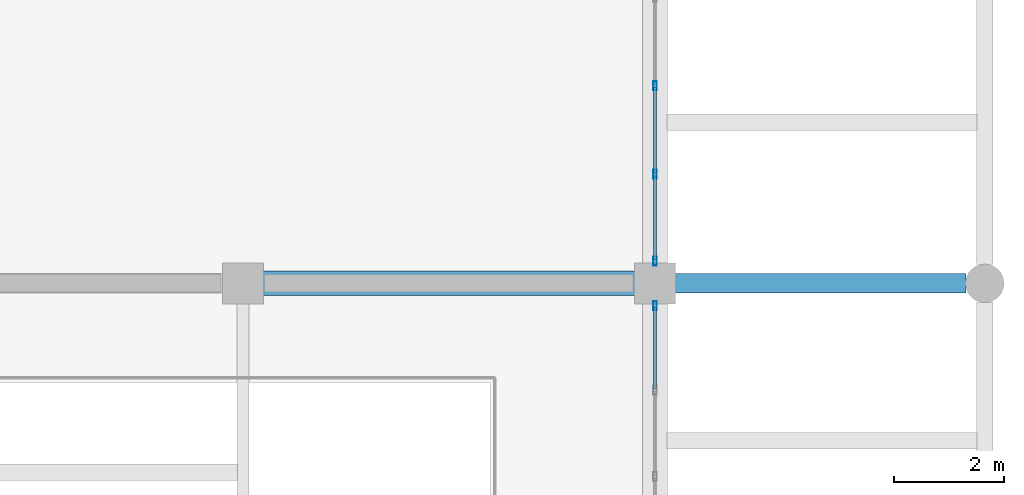
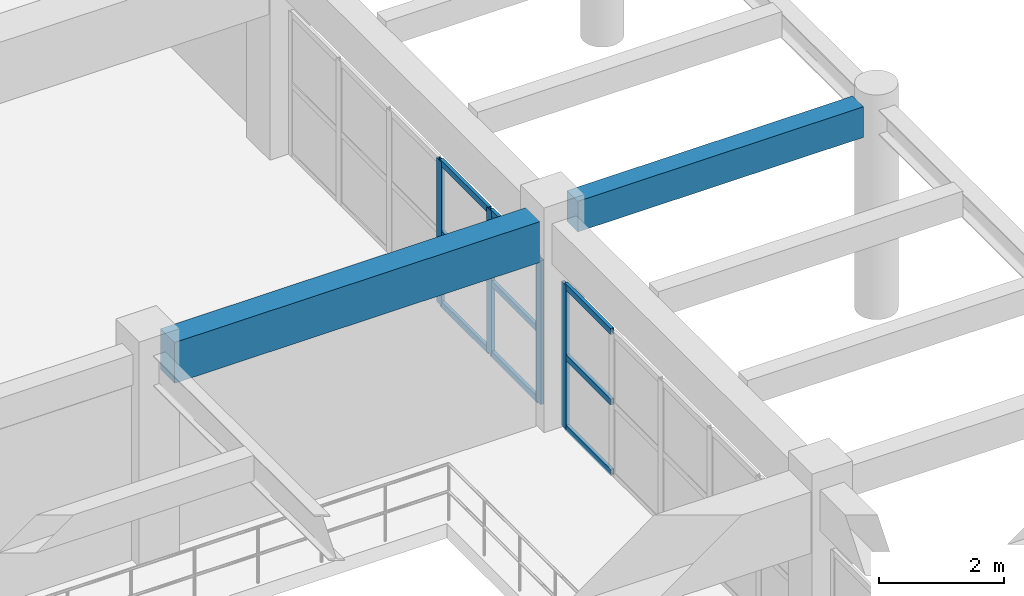
# One storey, part 80 of 116: 13 members, 2 beams, 2 elements without a shape of their own.
"""IFC4 building model written with IfcOpenShell, lengths in metres."""

from ifc_helpers import new_model, si_unit, direction, frame, origin, origin_2d, place, context, subcontext, project, spatial, rectangle, hollow_rectangle, extrude, material, layer, layer_set, material_profile, profile_set, type_object, element, aggregate, save


model = new_model("IFC4")

# Units and contexts
model_context = context("Model", 3, precision=1e-05, world=origin(), true_north=direction((0.0, 1.0)))
body_context = subcontext(model_context, "Body", "Model", "MODEL_VIEW")
ifc_project = project(units=[si_unit("LENGTHUNIT", "METRE"), si_unit("AREAUNIT", "SQUARE_METRE"), si_unit("VOLUMEUNIT", "CUBIC_METRE"), si_unit("PLANEANGLEUNIT", "RADIAN"), si_unit("MASSUNIT", "GRAM", prefix="KILO")], contexts=[model_context])

# Site, building, storey
site_placement = place(None, origin())
site = spatial("IfcSite", under=ifc_project, at=site_placement, CompositionType="ELEMENT")
building_placement = place(site_placement, origin())
building = spatial("IfcBuilding", under=site, at=building_placement, Name="Muzn Square Opera House", CompositionType="ELEMENT")
storey_placement = place(building_placement, frame((0.0, 0.0, 5.39990234375)))
storey = spatial("IfcBuildingStorey", under=building, at=storey_placement, Name="L01", CompositionType="ELEMENT", Elevation=5.39990234375)

# Curtain wall, member
ifc_material_1 = material(Name="Low-E laminated acoustic double glazing", Category="glass")
ifc_layer_1 = layer(ifc_material_1, 0.159912109375, Name="Low-E laminated acoustic double glazing", Category="glass")
ifc_layer_set_1 = layer_set([ifc_layer_1], Name="Low-E laminated acoustic double glazing")
curtain_wall_type_1 = type_object("IfcCurtainWallType", Name="Glazed Curtain Wall EastBlvd 7850x2820", PredefinedType="USERDEFINED", material=ifc_layer_set_1)
curtain_wall_1_placement = place(storey_placement, origin())
curtain_wall_1 = element("IfcCurtainWall", 1, at=curtain_wall_1_placement, inside=storey, type_object=curtain_wall_type_1, Name="Glazed Curtain Wall CW-L01-120", ObjectType="GLAZED CURTAIN WALL", PredefinedType="USERDEFINED")
ifc_material_2 = material(Name="Anodised bronze aluminium 6063-T6", Category="metal")
ifc_material_profile_1 = material_profile(ifc_material_2, hollow_rectangle(XDim=0.06005859375, YDim=0.159912109375, WallThickness=0.00390625, at=origin_2d()), Name="ALU 160x60x4", Category="metal")
ifc_profile_set_1 = profile_set([ifc_material_profile_1], Name="Anodised bronze aluminium 6063-T6")
member_type_1 = type_object("IfcMemberType", Name="Curtain Wall Mullion 160x60", PredefinedType="MULLION", material=ifc_profile_set_1)
member_1_placement = place(storey_placement, frame((170.0, 89.39501953125, 0.0), z_axis=(0.0, 0.0, 1.0), x_axis=(-1.0, 0.0, 0.0)))
member_1 = element("IfcMember", 2, at=member_1_placement, type_object=member_type_1, Name="CW-EBL-78x28 mullion 6", PredefinedType="MULLION", context=body_context, shape_type="SweptSolid", body=[
    extrude(hollow_rectangle(XDim=0.06005859375, YDim=0.159912109375, WallThickness=0.00390625, at=origin_2d()), origin(), (0.0, 0.0, 1.0), 2.820068359375),
])

# Curtain wall, members
ifc_layer_2 = layer(ifc_material_1, 0.159912109375, Name="Low-E laminated acoustic double glazing", Category="glass")
ifc_layer_set_2 = layer_set([ifc_layer_2], Name="Low-E laminated acoustic double glazing")
curtain_wall_type_2 = type_object("IfcCurtainWallType", Name="Glazed Curtain Wall EastBlvd 8050x2820", PredefinedType="USERDEFINED", material=ifc_layer_set_2)
curtain_wall_2_placement = place(storey_placement, origin())
curtain_wall_2 = element("IfcCurtainWall", 3, at=curtain_wall_2_placement, inside=storey, type_object=curtain_wall_type_2, Name="Glazed Curtain Wall CW-L01-121", ObjectType="GLAZED CURTAIN WALL", PredefinedType="USERDEFINED")
member_2_placement = place(storey_placement, frame((170.0, 90.205078125, 0.0), z_axis=(0.0, 0.0, 1.0), x_axis=(-1.0, 0.0, 0.0)))
member_2 = element("IfcMember", 4, at=member_2_placement, type_object=member_type_1, Name="CW-EBL-80x28 mullion 1", PredefinedType="MULLION", context=body_context, shape_type="SweptSolid", body=[
    extrude(hollow_rectangle(XDim=0.06005859375, YDim=0.159912109375, WallThickness=0.00390625, at=origin_2d()), origin(), (0.0, 0.0, 1.0), 2.820068359375),
])
member_3_placement = place(storey_placement, frame((170.0, 91.784912109375, 0.0), z_axis=(0.0, 0.0, 1.0), x_axis=(-1.0, 0.0, 0.0)))
member_3 = element("IfcMember", 5, at=member_3_placement, type_object=member_type_1, Name="CW-EBL-80x28 mullion 2", PredefinedType="MULLION", context=body_context, shape_type="SweptSolid", body=[
    extrude(hollow_rectangle(XDim=0.06005859375, YDim=0.159912109375, WallThickness=0.00390625, at=origin_2d()), origin(), (0.0, 0.0, 1.0), 2.820068359375),
])
member_4_placement = place(storey_placement, frame((170.0, 93.39501953125, 0.0), z_axis=(0.0, 0.0, 1.0), x_axis=(-1.0, 0.0, 0.0)))
member_4 = element("IfcMember", 6, at=member_4_placement, type_object=member_type_1, Name="CW-EBL-80x28 mullion 3", PredefinedType="MULLION", context=body_context, shape_type="SweptSolid", body=[
    extrude(hollow_rectangle(XDim=0.06005859375, YDim=0.159912109375, WallThickness=0.00390625, at=origin_2d()), origin(), (0.0, 0.0, 1.0), 2.820068359375),
])

# Member
ifc_material_profile_2 = material_profile(ifc_material_2, hollow_rectangle(XDim=0.06005859375, YDim=0.1201171875, WallThickness=0.00390625, at=origin_2d()), Name="ALU 120x60x4", Category="metal")
ifc_profile_set_2 = profile_set([ifc_material_profile_2], Name="Anodised bronze aluminium 6063-T6")
member_type_2 = type_object("IfcMemberType", Name="Curtain Wall Transom 120x60", PredefinedType="USERDEFINED", material=ifc_profile_set_2)
member_5_placement = place(storey_placement, frame((170.0, 87.885009765625, 0.030029296875), z_axis=(0.0, 1.0, 0.0), x_axis=(-1.0, 0.0, 0.0)))
member_5 = element("IfcMember", 7, at=member_5_placement, type_object=member_type_2, Name="CW-EBL-78x28 transom 5.1", ObjectType="TRANSOM", PredefinedType="USERDEFINED", context=body_context, shape_type="SweptSolid", body=[
    extrude(hollow_rectangle(XDim=0.06005859375, YDim=0.1201171875, WallThickness=0.00390625, at=origin_2d()), origin(), (0.0, 0.0, 1.0), 1.47998046875),
])

member_6_placement = place(storey_placement, frame((170.0, 87.885009765625, 1.41015625), z_axis=(0.0, 1.0, 0.0), x_axis=(-1.0, 0.0, 0.0)))
member_6 = element("IfcMember", 8, at=member_6_placement, type_object=member_type_2, Name="CW-EBL-78x28 transom 5.2", ObjectType="TRANSOM", PredefinedType="USERDEFINED", context=body_context, shape_type="SweptSolid", body=[
    extrude(hollow_rectangle(XDim=0.06005859375, YDim=0.1201171875, WallThickness=0.00390625, at=origin_2d()), origin(), (0.0, 0.0, 1.0), 1.47998046875),
])

member_7_placement = place(storey_placement, frame((170.0, 87.885009765625, 2.7900390625), z_axis=(0.0, 1.0, 0.0), x_axis=(-1.0, 0.0, 0.0)))
member_7 = element("IfcMember", 9, at=member_7_placement, type_object=member_type_2, Name="CW-EBL-78x28 transom 5.3", ObjectType="TRANSOM", PredefinedType="USERDEFINED", context=body_context, shape_type="SweptSolid", body=[
    extrude(hollow_rectangle(XDim=0.06005859375, YDim=0.1201171875, WallThickness=0.00390625, at=origin_2d()), origin(), (0.0, 0.0, 1.0), 1.47998046875),
])

aggregate(curtain_wall_1, [member_1, member_5, member_6, member_7])

member_8_placement = place(storey_placement, frame((170.0, 90.235107421875, 0.030029296875), z_axis=(0.0, 1.0, 0.0), x_axis=(-1.0, 0.0, 0.0)))
member_8 = element("IfcMember", 10, at=member_8_placement, type_object=member_type_2, Name="CW-EBL-80x28 transom 1.1", ObjectType="TRANSOM", PredefinedType="USERDEFINED", context=body_context, shape_type="SweptSolid", body=[
    extrude(hollow_rectangle(XDim=0.06005859375, YDim=0.1201171875, WallThickness=0.00390625, at=origin_2d()), origin(), (0.0, 0.0, 1.0), 1.519775390625),
])

member_9_placement = place(storey_placement, frame((170.0, 90.235107421875, 1.41015625), z_axis=(0.0, 1.0, 0.0), x_axis=(-1.0, 0.0, 0.0)))
member_9 = element("IfcMember", 11, at=member_9_placement, type_object=member_type_2, Name="CW-EBL-80x28 transom 1.2", ObjectType="TRANSOM", PredefinedType="USERDEFINED", context=body_context, shape_type="SweptSolid", body=[
    extrude(hollow_rectangle(XDim=0.06005859375, YDim=0.1201171875, WallThickness=0.00390625, at=origin_2d()), origin(), (0.0, 0.0, 1.0), 1.519775390625),
])

member_10_placement = place(storey_placement, frame((170.0, 90.235107421875, 2.7900390625), z_axis=(0.0, 1.0, 0.0), x_axis=(-1.0, 0.0, 0.0)))
member_10 = element("IfcMember", 12, at=member_10_placement, type_object=member_type_2, Name="CW-EBL-80x28 transom 1.3", ObjectType="TRANSOM", PredefinedType="USERDEFINED", context=body_context, shape_type="SweptSolid", body=[
    extrude(hollow_rectangle(XDim=0.06005859375, YDim=0.1201171875, WallThickness=0.00390625, at=origin_2d()), origin(), (0.0, 0.0, 1.0), 1.519775390625),
])

member_11_placement = place(storey_placement, frame((170.0, 91.81494140625, 0.030029296875), z_axis=(0.0, 1.0, 0.0), x_axis=(-1.0, 0.0, 0.0)))
member_11 = element("IfcMember", 13, at=member_11_placement, type_object=member_type_2, Name="CW-EBL-80x28 transom 2.1", ObjectType="TRANSOM", PredefinedType="USERDEFINED", context=body_context, shape_type="SweptSolid", body=[
    extrude(hollow_rectangle(XDim=0.06005859375, YDim=0.1201171875, WallThickness=0.00390625, at=origin_2d()), origin(), (0.0, 0.0, 1.0), 1.550048828125),
])

member_12_placement = place(storey_placement, frame((170.0, 91.81494140625, 1.41015625), z_axis=(0.0, 1.0, 0.0), x_axis=(-1.0, 0.0, 0.0)))
member_12 = element("IfcMember", 14, at=member_12_placement, type_object=member_type_2, Name="CW-EBL-80x28 transom 2.2", ObjectType="TRANSOM", PredefinedType="USERDEFINED", context=body_context, shape_type="SweptSolid", body=[
    extrude(hollow_rectangle(XDim=0.06005859375, YDim=0.1201171875, WallThickness=0.00390625, at=origin_2d()), origin(), (0.0, 0.0, 1.0), 1.550048828125),
])

member_13_placement = place(storey_placement, frame((170.0, 91.81494140625, 2.7900390625), z_axis=(0.0, 1.0, 0.0), x_axis=(-1.0, 0.0, 0.0)))
member_13 = element("IfcMember", 15, at=member_13_placement, type_object=member_type_2, Name="CW-EBL-80x28 transom 2.3", ObjectType="TRANSOM", PredefinedType="USERDEFINED", context=body_context, shape_type="SweptSolid", body=[
    extrude(hollow_rectangle(XDim=0.06005859375, YDim=0.1201171875, WallThickness=0.00390625, at=origin_2d()), origin(), (0.0, 0.0, 1.0), 1.550048828125),
])

aggregate(curtain_wall_2, [member_2, member_3, member_4, member_8, member_9, member_10, member_11, member_12, member_13])

# Beams
ifc_material_3 = material(Name="Concrete C40/50", Category="concrete")
ifc_material_profile_3 = material_profile(ifc_material_3, rectangle(XDim=0.35009765625, YDim=0.60009765625, at=origin_2d()), Name="RCB 350x600", Category="concrete")
ifc_profile_set_3 = profile_set([ifc_material_profile_3], Name="Concrete C40/50")
beam_type_1 = type_object("IfcBeamType", Name="Primary Girder 350x600", PredefinedType="BEAM", material=ifc_profile_set_3)
beam_1_placement = place(storey_placement, frame((170.366943359375, 89.800048828125, 3.85009765625), z_axis=(1.0, 0.0, 0.0), x_axis=(0.0, 1.0, 0.0)))
element("IfcBeam", 16, at=beam_1_placement, inside=storey, type_object=beam_type_1, Name="Primary Girder BM-L01-BM-PG600-1704_898_1757_898-1478", PredefinedType="BEAM", context=body_context, shape_type="SweptSolid", body=[
    extrude(rectangle(XDim=0.35009765625, YDim=0.60009765625, at=origin_2d()), origin(), (0.0, 0.0, 1.0), 5.291015625),
])
ifc_material_profile_4 = material_profile(ifc_material_3, rectangle(XDim=0.449951171875, YDim=0.800048828125, at=origin_2d()), Name="RCB 450x800", Category="concrete")
ifc_profile_set_4 = profile_set([ifc_material_profile_4], Name="Concrete C40/50")
beam_type_2 = type_object("IfcBeamType", Name="Primary Girder 450x800", PredefinedType="BEAM", material=ifc_profile_set_4)
beam_2_placement = place(storey_placement, frame((162.866943359375, 89.800048828125, 3.64013671875), z_axis=(1.0, 0.0, 0.0), x_axis=(0.0, 1.0, 0.0)))
element("IfcBeam", 17, at=beam_2_placement, inside=storey, type_object=beam_type_2, Name="Primary Girder BM-L01-BM-PG800-1629_898_1696_898-1477", PredefinedType="BEAM", context=body_context, shape_type="SweptSolid", body=[
    extrude(rectangle(XDim=0.449951171875, YDim=0.800048828125, at=origin_2d()), origin(), (0.0, 0.0, 1.0), 6.76611328125),
])

save(model, "model.ifc")
